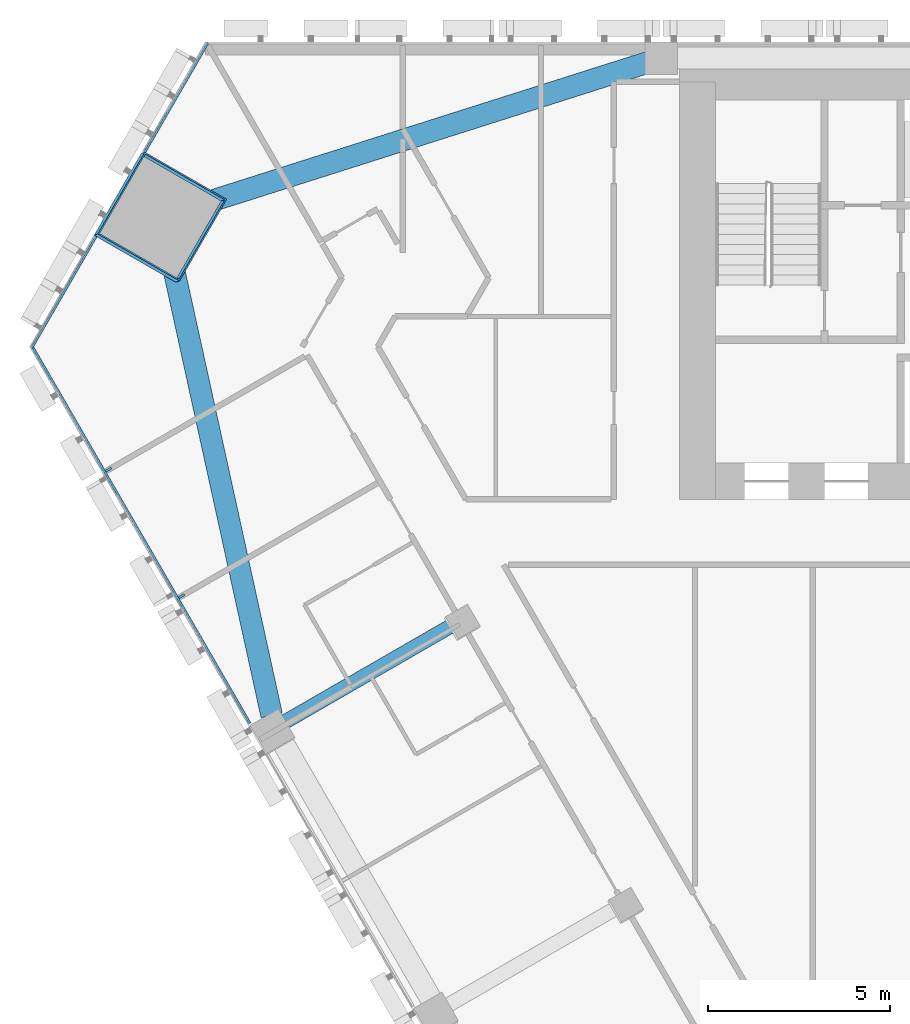
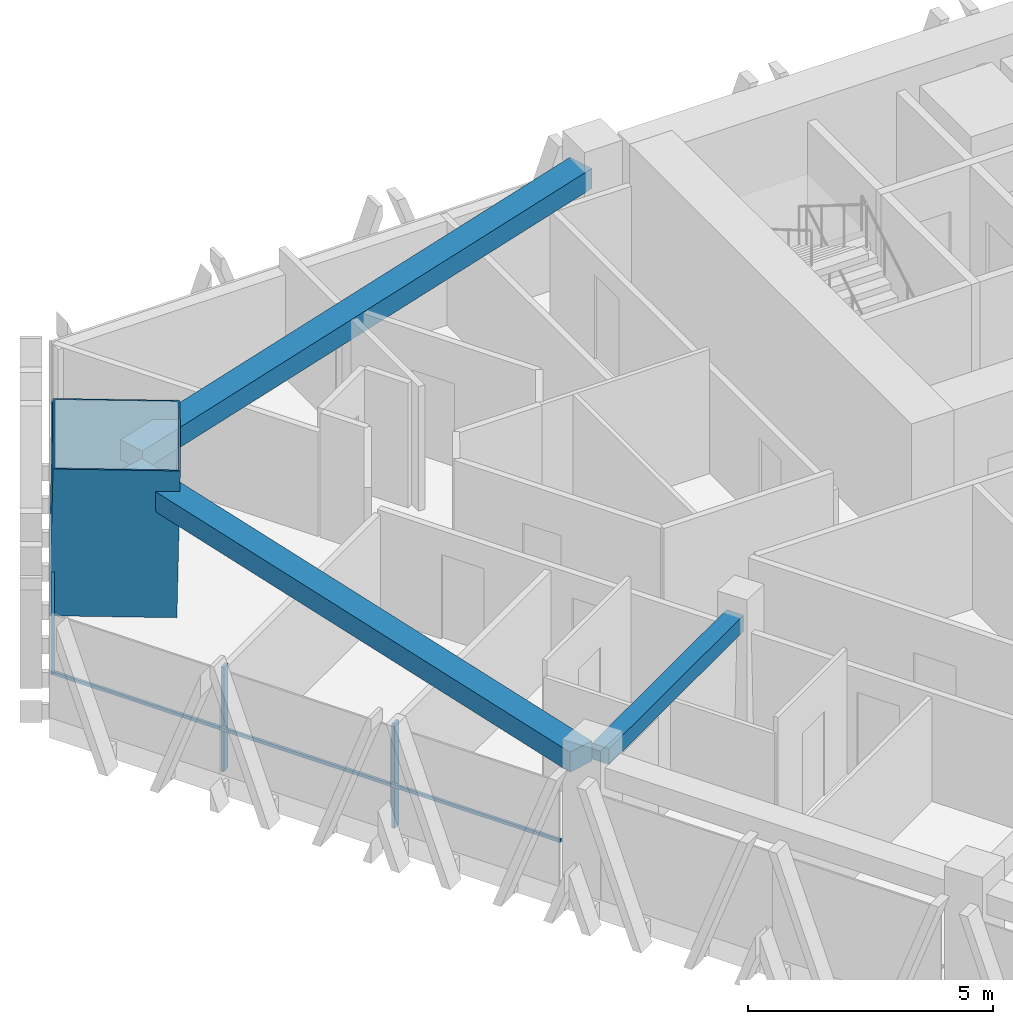
# One storey, part 6 of 18: 6 members, 3 beams, 2 elements without a shape of their own.
"""IFC4 building model written with IfcOpenShell, lengths in metres."""

import ifcopenshell
import ifcopenshell.guid

model = None  # the IFC model being written
_history = None  # IfcOwnerHistory: only IFC2X3 demands one
_inside = {}  # id of a spatial element -> (the spatial element, [elements in it])
_under = {}  # id of a project, library or spatial element -> (it, [spatial elements below it])
_declared = {}  # id of a project -> (the project, [libraries it declares])
_typed = {}  # id of a type object -> (the type object, [elements of that type])
_made_of = {}  # id of a material, layer set ... -> (it, [elements and type objects made of it])


def new_model(schema):
    """Start an empty IFC model of exactly this schema.

    Asked for "IFC4X3", IfcOpenShell would pick the latest addendum, in which some entities
    have other attributes; the version numbers below select the first issue.
    IFC2X3 requires an IfcOwnerHistory on every rooted entity: one is made here for all.
    """
    global model, _history
    if schema == "IFC4X3":
        model = ifcopenshell.file(schema_version=(4, 3, 0, 0))
    else:
        model = ifcopenshell.file(schema=schema)
    _inside.clear()
    _under.clear()
    _declared.clear()
    _typed.clear()
    _made_of.clear()
    _history = None
    if model.schema == "IFC2X3":
        org = make("IfcOrganization", Name="unknown")
        user = make(
            "IfcPersonAndOrganization",
            ThePerson=make("IfcPerson", FamilyName="unknown"),
            TheOrganization=org,
        )
        app = make(
            "IfcApplication",
            ApplicationDeveloper=org,
            Version="unknown",
            ApplicationFullName="unknown",
            ApplicationIdentifier="unknown",
        )
        _history = make(
            "IfcOwnerHistory",
            OwningUser=user,
            OwningApplication=app,
            ChangeAction="ADDED",
            CreationDate=0,
        )
    return model


def make(cls, **values):
    """One entity of the class cls with the attributes given. An attribute that is None is left unset."""
    return model.create_entity(
        cls, **{name: value for name, value in values.items() if value is not None}
    )


def rooted(cls, **values):
    """An entity with a GlobalId (a new one), such as an element, a storey or a relation."""
    return make(cls, GlobalId=ifcopenshell.guid.new(), OwnerHistory=_history, **values)


def si_unit(unit_type, name, prefix=None):
    """IfcSIUnit, for example si_unit("LENGTHUNIT", "METRE", prefix="MILLI")."""
    return make("IfcSIUnit", UnitType=unit_type, Prefix=prefix, Name=name)


def assignment(units):
    """IfcUnitAssignment: the units of a project."""
    return None if units is None else make("IfcUnitAssignment", Units=units)


def point(xyz):
    """IfcCartesianPoint."""
    return None if xyz is None else make("IfcCartesianPoint", Coordinates=xyz)


def direction(xyz):
    """IfcDirection."""
    return None if xyz is None else make("IfcDirection", DirectionRatios=xyz)


def frame(location, z_axis=None, x_axis=None):
    """IfcAxis2Placement3D, a coordinate frame: its origin and axes. An axis left out is left unset."""
    return make(
        "IfcAxis2Placement3D",
        Location=point(location),
        Axis=direction(z_axis),
        RefDirection=direction(x_axis),
    )


def frame_2d(location, x_axis=None):
    """IfcAxis2Placement2D, a coordinate frame in the plane: its origin and x axis."""
    return make(
        "IfcAxis2Placement2D", Location=point(location), RefDirection=direction(x_axis)
    )


def origin():
    """The frame at (0, 0, 0) with its axes left unset."""
    return frame((0.0, 0.0, 0.0))


def origin_2d():
    """The frame at (0, 0) in the plane with its x axis left unset."""
    return frame_2d((0.0, 0.0))


def place(relative_to, where):
    """IfcLocalPlacement: puts the frame where relative to a parent placement (None: the world)."""
    return make(
        "IfcLocalPlacement", PlacementRelTo=relative_to, RelativePlacement=where
    )


def context(
    kind, dimensions, precision=None, world=None, true_north=None, identifier=None
):
    """IfcGeometricRepresentationContext, for example the 3D "Model" context."""
    return make(
        "IfcGeometricRepresentationContext",
        ContextIdentifier=identifier,
        ContextType=kind,
        CoordinateSpaceDimension=dimensions,
        Precision=precision,
        WorldCoordinateSystem=world,
        TrueNorth=true_north,
    )


def subcontext(parent, identifier, kind, view, scale=None):
    """IfcGeometricRepresentationSubContext, for example "Body" below "Model"."""
    return make(
        "IfcGeometricRepresentationSubContext",
        ContextIdentifier=identifier,
        ContextType=kind,
        ParentContext=parent,
        TargetScale=scale,
        TargetView=view,
    )


def project(units=None, contexts=None):
    """IfcProject with its units and contexts."""
    return rooted(
        "IfcProject",
        Name="project",
        RepresentationContexts=contexts,
        UnitsInContext=assignment(units),
    )


def spatial(cls, under=None, at=None, **own):
    """A site, building, storey or space (cls), placed at a placement, below another one or the project."""
    s = rooted(cls, ObjectPlacement=at, **own)
    if under is not None:
        _under.setdefault(under.id(), (under, []))[1].append(s)
    return s


def profile(cls, at=None, kind="AREA", **sizes):
    """A parametric profile (cls). Its sizes go by their IFC names, for example OverallWidth=200.0."""
    return make(cls, ProfileType=kind, Position=at, **sizes)


def rectangle(**sizes):
    """IfcRectangleProfileDef."""
    return profile("IfcRectangleProfileDef", **sizes)


def hollow_rectangle(**sizes):
    """IfcRectangleHollowProfileDef."""
    return profile("IfcRectangleHollowProfileDef", **sizes)


def extrude(swept, where, along, depth):
    """IfcExtrudedAreaSolid: the profile swept, set in the frame where, extruded along a direction by depth."""
    return make(
        "IfcExtrudedAreaSolid",
        SweptArea=swept,
        Position=where,
        ExtrudedDirection=direction(along),
        Depth=depth,
    )


def shape(context_of_items, identifier, shape_type, items):
    """IfcShapeRepresentation: the items that make up one representation, for example the "Body"."""
    return make(
        "IfcShapeRepresentation",
        ContextOfItems=context_of_items,
        RepresentationIdentifier=identifier,
        RepresentationType=shape_type,
        Items=items,
    )


def material(Name=None, Category=None):
    """IfcMaterial."""
    return make("IfcMaterial", Name=Name, Category=Category)


def layer(
    of_material, thickness, ventilated=None, Name=None, Category=None, Priority=None
):
    """IfcMaterialLayer: one layer of a wall or slab, of a material (None: an air gap)."""
    return make(
        "IfcMaterialLayer",
        Material=of_material,
        LayerThickness=thickness,
        IsVentilated=ventilated,
        Name=Name,
        Category=Category,
        Priority=Priority,
    )


def layer_set(layers, Name=None):
    """IfcMaterialLayerSet."""
    return make("IfcMaterialLayerSet", MaterialLayers=layers, LayerSetName=Name)


def material_profile(
    of_material, cross_section, Name=None, Category=None, Priority=None
):
    """IfcMaterialProfile: a cross section and its material."""
    return make(
        "IfcMaterialProfile",
        Name=Name,
        Material=of_material,
        Profile=cross_section,
        Priority=Priority,
        Category=Category,
    )


def profile_set(profiles, Name=None, composite=None):
    """IfcMaterialProfileSet."""
    return make(
        "IfcMaterialProfileSet",
        Name=Name,
        MaterialProfiles=profiles,
        CompositeProfile=composite,
    )


def made_of(thing, what):
    """Note that an element or type object is made of a material, layer set ...; save() writes the relation."""
    if what is not None:
        _made_of.setdefault(what.id(), (what, []))[1].append(thing)
    return thing


def type_object(cls, material=None, **own):
    """A type object (cls), such as IfcWallType, which elements share."""
    return made_of(rooted(cls, **own), material)


def element(
    cls,
    number,
    at=None,
    inside=None,
    cuts=None,
    type_object=None,
    material=None,
    context=None,
    identifier="Body",
    shape_type=None,
    held_by="IfcProductDefinitionShape",
    body=None,
    shapes=None,
    **own,
):
    """One element of the class cls, such as IfcWall. Its Tag is "e" and its number.

    at: its placement. inside: the storey or other place that contains it. cuts: it is an
    opening in that element (IfcRelVoidsElement). A single representation is given by context,
    identifier, shape_type and body (its items); several are given by shapes. held_by: the class
    of the entity that holds the representations. save() writes the other relations.
    """
    e = rooted(cls, Tag="e%d" % number, ObjectPlacement=at, **own)
    if body is not None:
        shapes = [shape(context, identifier, shape_type, body)]
    if shapes is not None:
        e.Representation = make(held_by, Representations=shapes)
    if inside is not None:
        _inside.setdefault(inside.id(), (inside, []))[1].append(e)
    if cuts is not None:
        rooted(
            "IfcRelVoidsElement", RelatingBuildingElement=cuts, RelatedOpeningElement=e
        )
    if type_object is not None:
        _typed.setdefault(type_object.id(), (type_object, []))[1].append(e)
    return made_of(e, material)


def aggregate(whole, parts):
    """IfcRelAggregates: a whole, such as a stair, and the parts it consists of."""
    return rooted("IfcRelAggregates", RelatingObject=whole, RelatedObjects=parts)


def save(model, path):
    """Write the relations noted so far, then the file.

    IfcRelAggregates (storeys below a building ...), IfcRelContainedInSpatialStructure (elements
    in a storey), IfcRelDefinesByType, IfcRelAssociatesMaterial and IfcRelDeclares: one each for
    every whole, place, type object, material and project.
    """
    for whole, parts in _under.values():
        aggregate(whole, parts)
    for where, things in _inside.values():
        rooted(
            "IfcRelContainedInSpatialStructure",
            RelatedElements=things,
            RelatingStructure=where,
        )
    for kind, things in _typed.values():
        rooted("IfcRelDefinesByType", RelatedObjects=things, RelatingType=kind)
    for what, things in _made_of.values():
        rooted("IfcRelAssociatesMaterial", RelatedObjects=things, RelatingMaterial=what)
    for by, libraries in _declared.values():
        rooted("IfcRelDeclares", RelatingContext=by, RelatedDefinitions=libraries)
    model.write(path)


model = new_model("IFC4")

# Units and contexts
model_context = context("Model", 3, precision=1e-05, world=origin(), true_north=direction((0.0, 1.0)))
body_context = subcontext(model_context, "Body", "Model", "MODEL_VIEW")
ifc_project = project(units=[si_unit("LENGTHUNIT", "METRE"), si_unit("AREAUNIT", "SQUARE_METRE"), si_unit("VOLUMEUNIT", "CUBIC_METRE"), si_unit("PLANEANGLEUNIT", "RADIAN"), si_unit("MASSUNIT", "GRAM", prefix="KILO")], contexts=[model_context])

# Site, building, storey
site_placement = place(None, origin())
site = spatial("IfcSite", under=ifc_project, at=site_placement, CompositionType="ELEMENT")
building_placement = place(site_placement, origin())
building = spatial("IfcBuilding", under=site, at=building_placement, Name="Altiplano Prism Tower", CompositionType="ELEMENT")
storey_placement = place(building_placement, frame((0.0, 0.0, 41.39990234375)))
storey = spatial("IfcBuildingStorey", under=building, at=storey_placement, Name="L09", CompositionType="ELEMENT", Elevation=41.39990234375)

# Curtain wall, members
ifc_material_1 = material(Name="Aluminium and glass", Category="aluminium")
ifc_layer = layer(ifc_material_1, 0.280029296875)
ifc_layer_set = layer_set([ifc_layer], Name="Aluminium and glass")
curtain_wall_type = type_object("IfcCurtainWallType", Name="CW1 typical co-living unitised curtain wall", PredefinedType="NOTDEFINED", material=ifc_layer_set)
curtain_wall_1_placement = place(storey_placement, origin())
curtain_wall_1 = element("IfcCurtainWall", 1, at=curtain_wall_1_placement, inside=storey, type_object=curtain_wall_type, Name="CW1 curtain wall south-west face L09", PredefinedType="NOTDEFINED")
ifc_material_2 = material(Name="Aluminium", Category="aluminium")
ifc_material_profile_1 = material_profile(ifc_material_2, rectangle(XDim=0.179931640625, YDim=0.06494140625, at=origin_2d()), Name="CW1 mullion 65 x 180")
ifc_profile_set_1 = profile_set([ifc_material_profile_1], Name="Aluminium")
member_type_1 = type_object("IfcMemberType", Name="CW1 mullion 65 x 180", PredefinedType="MULLION", material=ifc_profile_set_1)
member_1_placement = place(storey_placement, frame((56.28759765625, 93.219482421875, 0.0), z_axis=(0.0, 0.0, 1.0), x_axis=(0.866025403584, 0.500000000348, 0.0)))
member_1 = element("IfcMember", 2, at=member_1_placement, type_object=member_type_1, Name="CW1 mullion", PredefinedType="MULLION", context=body_context, shape_type="SweptSolid", body=[
    extrude(rectangle(XDim=0.179931640625, YDim=0.06494140625, at=origin_2d()), origin(), (0.0, 0.0, 1.0), 2.60009765625),
])
member_2_placement = place(storey_placement, frame((58.2978515625, 89.737548828125, 0.0), z_axis=(0.0, 0.0, 1.0), x_axis=(0.866025403584, 0.500000000348, 0.0)))
member_2 = element("IfcMember", 3, at=member_2_placement, type_object=member_type_1, Name="CW1 mullion", PredefinedType="MULLION", context=body_context, shape_type="SweptSolid", body=[
    extrude(rectangle(XDim=0.179931640625, YDim=0.06494140625, at=origin_2d()), origin(), (0.0, 0.0, 1.0), 2.60009765625),
])

curtain_wall_2_placement = place(storey_placement, origin())
curtain_wall_2 = element("IfcCurtainWall", 4, at=curtain_wall_2_placement, inside=storey, type_object=curtain_wall_type, Name="CW1 curtain wall north-west chamfer L09", PredefinedType="NOTDEFINED")
ifc_material_profile_2 = material_profile(ifc_material_2, rectangle(XDim=0.06005859375, YDim=0.080078125, at=origin_2d()), Name="CW1 transom 80 x 60")
ifc_profile_set_2 = profile_set([ifc_material_profile_2], Name="Aluminium")
member_type_2 = type_object("IfcMemberType", Name="CW1 transom 80 x 60", PredefinedType="USERDEFINED", material=ifc_profile_set_2)
member_3_placement = place(storey_placement, frame((59.01953125, 104.965087890625, 1.10009765625), z_axis=(-0.499972446337, -0.866041311315, 0.0), x_axis=(0.866041311315, -0.499972446337, 0.0)))
member_3 = element("IfcMember", 5, at=member_3_placement, type_object=member_type_2, Name="CW1 transom", ObjectType="TRANSOM", PredefinedType="USERDEFINED", context=body_context, shape_type="SweptSolid", body=[
    extrude(rectangle(XDim=0.06005859375, YDim=0.080078125, at=origin_2d()), origin(), (0.0, 0.0, 1.0), 3.466064453125),
])
member_4_placement = place(storey_placement, frame((55.946533203125, 99.642333984375, 1.10009765625), z_axis=(-0.499974747889, -0.866039982607, 0.0), x_axis=(0.866039982607, -0.499974747889, 0.0)))
member_4 = element("IfcMember", 6, at=member_4_placement, type_object=member_type_2, Name="CW1 transom", ObjectType="TRANSOM", PredefinedType="USERDEFINED", context=body_context, shape_type="SweptSolid", body=[
    extrude(rectangle(XDim=0.06005859375, YDim=0.080078125, at=origin_2d()), origin(), (0.0, 0.0, 1.0), 3.546142578125),
])
aggregate(curtain_wall_2, [member_3, member_4])

# Member
member_5_placement = place(storey_placement, frame((54.173583984375, 96.641357421875, 1.10009765625), z_axis=(0.499988715155, -0.866031918994, 0.0), x_axis=(0.866031918994, 0.499988715155, 0.0)))
member_5 = element("IfcMember", 7, at=member_5_placement, type_object=member_type_2, Name="CW1 transom", ObjectType="TRANSOM", PredefinedType="USERDEFINED", context=body_context, shape_type="SweptSolid", body=[
    extrude(rectangle(XDim=0.06005859375, YDim=0.080078125, at=origin_2d()), origin(), (0.0, 0.0, 1.0), 12.011474609375),
])

aggregate(curtain_wall_1, [member_1, member_2, member_5])

# Beams
ifc_material_3 = material(Name="Concrete C60/75", Category="concrete")
ifc_material_profile_3 = material_profile(ifc_material_3, rectangle(XDim=0.60009765625, YDim=0.5, at=origin_2d()), Name="Edge beam 600x500")
ifc_profile_set_3 = profile_set([ifc_material_profile_3], Name="Concrete C60/75")
beam_type_1 = type_object("IfcBeamType", Name="Edge beam 600x500", PredefinedType="SPANDREL", material=ifc_profile_set_3)
for number, where, z_axis, x_axis, name in (
    (8, (71.164306640625, 104.443359375, 2.85009765625), (-0.953067262297, -0.302758639082, 0.0), (0.302758639082, -0.953067262297, 0.0), "Edge beam P04-M0 L10"),
    (9, (57.860595703125, 99.7470703125, 2.85009765625), (0.214323813921, -0.976762664513, 0.0), (0.976762664513, 0.214323813921, 0.0), "Edge beam M0-P11 L10"),
):
    element("IfcBeam", number, at=place(storey_placement, frame(where, z_axis=z_axis, x_axis=x_axis)), inside=storey, type_object=beam_type_1, Name=name, PredefinedType="SPANDREL", context=body_context, shape_type="SweptSolid", body=[
        extrude(rectangle(XDim=0.60009765625, YDim=0.5, at=origin_2d()), origin(), (0.0, 0.0, 1.0), 13.610107421875),
    ])

# Member
ifc_material_4 = material(Name="Steel S460", Category="steel")
ifc_material_profile_4 = material_profile(ifc_material_4, hollow_rectangle(XDim=2.60009765625, YDim=2.60009765625, WallThickness=0.0400390625, at=origin_2d()), Name="Mega column tube 2600")
ifc_profile_set_4 = profile_set([ifc_material_profile_4], Name="Steel S460")
member_type_3 = type_object("IfcMemberType", Name="Mega column tube 2600", PredefinedType="POST", material=ifc_profile_set_4)
member_6_placement = place(storey_placement, frame((57.661865234375, 100.153076171875, 0.0), z_axis=(0.028334066552, 0.009286524205, 0.999555371723), x_axis=(-0.86655567717, 0.498682281887, 0.019930882981)))
element("IfcMember", 10, at=member_6_placement, inside=storey, type_object=member_type_3, Name="Mega column tube M0 L09", PredefinedType="POST", context=body_context, shape_type="SweptSolid", body=[
    extrude(hollow_rectangle(XDim=2.60009765625, YDim=2.60009765625, WallThickness=0.0400390625, at=origin_2d()), origin(), (0.0, 0.0, 1.0), 3.601806640625),
])

# Beam
ifc_material_profile_5 = material_profile(ifc_material_3, rectangle(XDim=0.39990234375, YDim=0.39990234375, at=origin_2d()), Name="Tie beam 400x400")
ifc_profile_set_5 = profile_set([ifc_material_profile_5], Name="Concrete C60/75")
beam_type_2 = type_object("IfcBeamType", Name="Tie beam 400x400", PredefinedType="BEAM", material=ifc_profile_set_5)
beam_placement = place(storey_placement, frame((65.893310546875, 89.01904296875, 2.900146484375), z_axis=(-0.866031549307, -0.499989355492, 0.0), x_axis=(0.499989355492, -0.866031549307, 0.0)))
element("IfcBeam", 11, at=beam_placement, inside=storey, type_object=beam_type_2, Name="Tie beam I11 L10", PredefinedType="BEAM", context=body_context, shape_type="SweptSolid", body=[
    extrude(rectangle(XDim=0.39990234375, YDim=0.39990234375, at=origin_2d()), origin(), (0.0, 0.0, 1.0), 5.48974609375),
])

save(model, "model.ifc")
